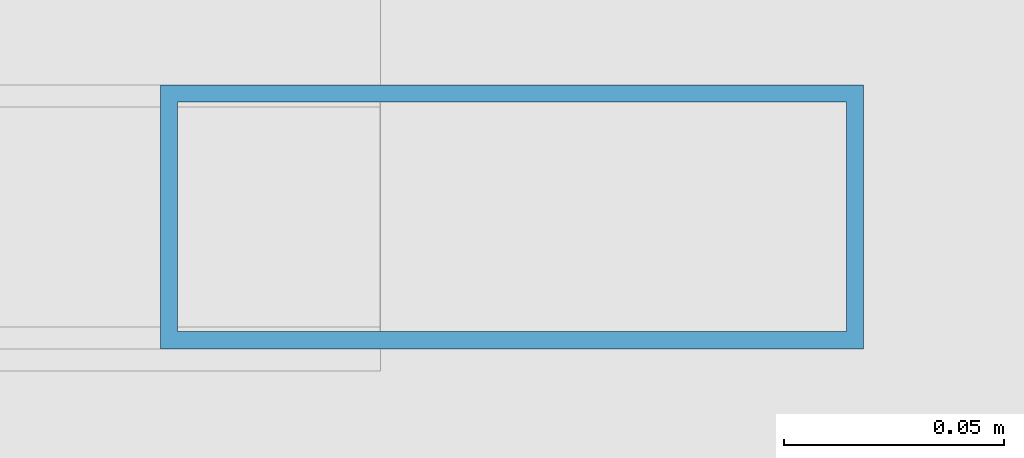
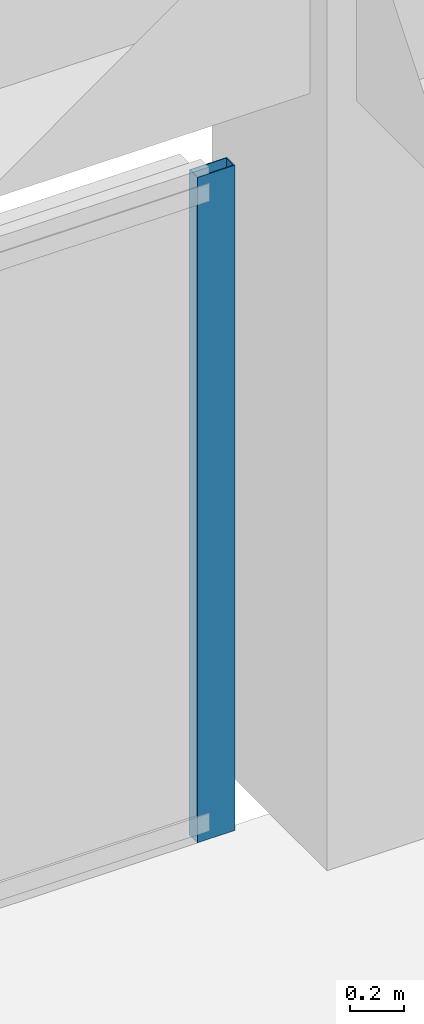
# One storey, part 30 of 56: 1 member, 1 element without a shape of its own.
"""IFC4 building model written with IfcOpenShell, lengths in metres."""

from ifc_helpers import new_model, si_unit, direction, frame, origin, origin_2d, place, context, subcontext, project, spatial, hollow_rectangle, extrude, material, material_profile, profile_set, type_object, element, aggregate, save


model = new_model("IFC4")

# Units and contexts
model_context = context("Model", 3, precision=1e-05, world=origin(), true_north=direction((0.0, 1.0)))
body_context = subcontext(model_context, "Body", "Model", "MODEL_VIEW")
ifc_project = project(units=[si_unit("LENGTHUNIT", "METRE"), si_unit("AREAUNIT", "SQUARE_METRE"), si_unit("VOLUMEUNIT", "CUBIC_METRE"), si_unit("PLANEANGLEUNIT", "RADIAN"), si_unit("MASSUNIT", "GRAM", prefix="KILO")], contexts=[model_context])

# Site, building, storey
site_placement = place(None, origin())
site = spatial("IfcSite", under=ifc_project, at=site_placement, CompositionType="ELEMENT")
building_placement = place(site_placement, origin())
building = spatial("IfcBuilding", under=site, at=building_placement, Name="Kazehaya Institute of Natural Sciences", CompositionType="ELEMENT")
storey_placement = place(building_placement, frame((0.0, 0.0, 24.300048828125)))
storey = spatial("IfcBuildingStorey", under=building, at=storey_placement, Name="L05", CompositionType="ELEMENT", Elevation=24.300048828125)

# Curtain wall, member
ifc_material = material(Name="Aluminium alloy A6063S-T5", Category="aluminium")
curtain_wall_type = type_object("IfcCurtainWallType", Name="CW-SYS-04", PredefinedType="NOTDEFINED", material=ifc_material)
curtain_wall_placement = place(storey_placement, origin())
curtain_wall = element("IfcCurtainWall", 1, at=curtain_wall_placement, inside=storey, type_object=curtain_wall_type, Name="L05 unitised curtain wall CW-L05-111", PredefinedType="NOTDEFINED")
ifc_material_profile = material_profile(ifc_material, hollow_rectangle(XDim=0.06005859375, YDim=0.159912109375, WallThickness=0.00390625, at=origin_2d()), Name="ALU-60x160x4")
ifc_profile_set = profile_set([ifc_material_profile], Name="Aluminium alloy A6063S-T5")
member_type = type_object("IfcMemberType", Name="CWM-160", PredefinedType="MULLION", material=ifc_profile_set)
member_placement = place(storey_placement, frame((118.72998046875, 35.60009765625, 0.0), z_axis=(0.0, 0.0, 1.0), x_axis=(0.0, 1.0, 0.0)))
member = element("IfcMember", 2, at=member_placement, type_object=member_type, Name="CW04 mullion 3", PredefinedType="MULLION", context=body_context, shape_type="SweptSolid", body=[
    extrude(hollow_rectangle(XDim=0.06005859375, YDim=0.159912109375, WallThickness=0.00390625, at=origin_2d()), origin(), (0.0, 0.0, 1.0), 3.0),
])
aggregate(curtain_wall, [member])

save(model, "model.ifc")
